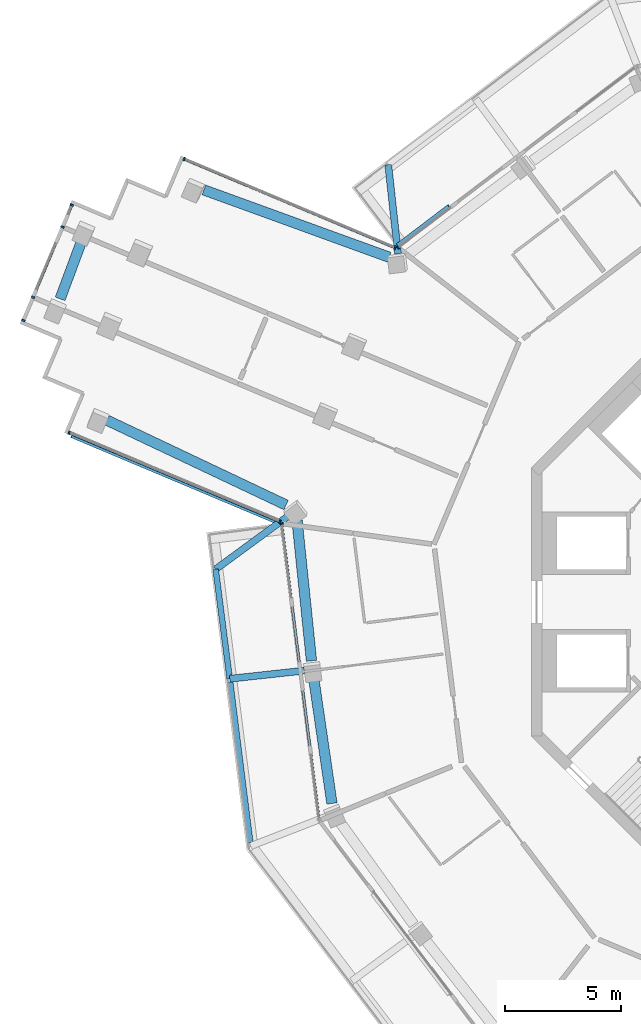
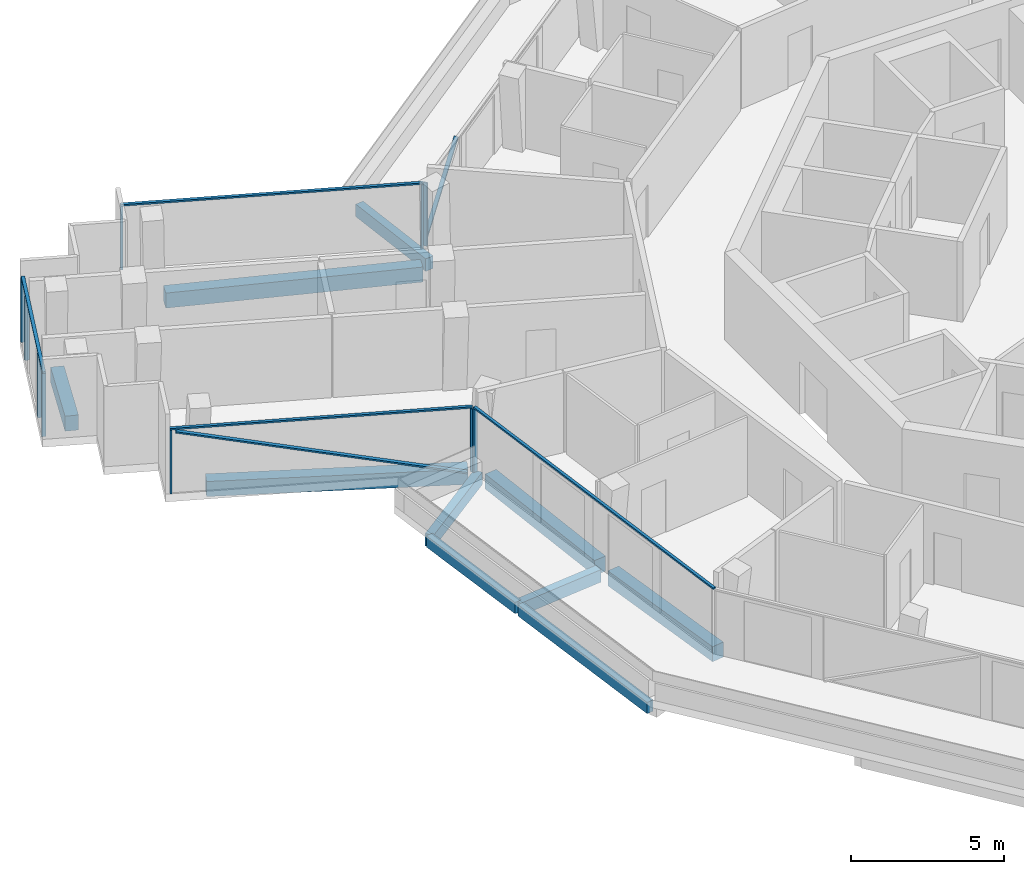
# One storey, part 5 of 26: 16 members, 10 beams, 5 elements without a shape of their own.
"""IFC4 building model written with IfcOpenShell, lengths in metres."""

from ifc_helpers import new_model, si_unit, direction, frame, origin, origin_2d, place, context, subcontext, project, spatial, rectangle, extrude, material, layer, layer_set, material_profile, profile_set, type_object, element, aggregate, save


model = new_model("IFC4")

# Units and contexts
model_context = context("Model", 3, precision=1e-05, world=origin(), true_north=direction((0.0, 1.0)))
body_context = subcontext(model_context, "Body", "Model", "MODEL_VIEW")
ifc_project = project(units=[si_unit("LENGTHUNIT", "METRE"), si_unit("AREAUNIT", "SQUARE_METRE"), si_unit("VOLUMEUNIT", "CUBIC_METRE"), si_unit("PLANEANGLEUNIT", "RADIAN"), si_unit("MASSUNIT", "GRAM", prefix="KILO")], contexts=[model_context])

# Site, building, storey
site_placement = place(None, origin())
site = spatial("IfcSite", under=ifc_project, at=site_placement, CompositionType="ELEMENT")
building_placement = place(site_placement, origin())
building = spatial("IfcBuilding", under=site, at=building_placement, Name="Verdalira Terraces Hotel", CompositionType="ELEMENT")
storey_placement = place(building_placement, frame((0.0, 0.0, 306.5)))
storey = spatial("IfcBuildingStorey", under=building, at=storey_placement, Name="L76", CompositionType="ELEMENT", Elevation=306.5)

# Beams
ifc_material_1 = material(Name="Concrete C40", Category="concrete")
ifc_material_profile_1 = material_profile(ifc_material_1, rectangle(XDim=0.300049, YDim=0.5, at=origin_2d()), Name="RC 300X500")
ifc_profile_set_1 = profile_set([ifc_material_profile_1], Name="Concrete C40")
beam_type_1 = type_object("IfcBeamType", Name="Balcony cantilever beam RC 300X500 C40", PredefinedType="BEAM", material=ifc_profile_set_1)
beam_1_placement = place(storey_placement, frame((-24.477295, 3.753906, -0.560059), z_axis=(-0.806530737, -0.59119216, 0.0), x_axis=(0.59119216, -0.806530737, 0.0)))
element("IfcBeam", 1, at=beam_1_placement, inside=storey, type_object=beam_type_1, Name="Balcony cantilever beam R11-3", PredefinedType="BEAM", context=body_context, shape_type="SweptSolid", body=[
    extrude(rectangle(XDim=0.300049, YDim=0.5, at=origin_2d()), origin(), (0.0, 0.0, 1.0), 3.949951),
])
beam_2_placement = place(storey_placement, frame((-23.82373, -2.968262, -0.560059), z_axis=(-0.994070043, -0.108741665, 0.0), x_axis=(0.108741665, -0.994070043, 0.0)))
element("IfcBeam", 2, at=beam_2_placement, inside=storey, type_object=beam_type_1, Name="Balcony cantilever beam R11-4", PredefinedType="BEAM", context=body_context, shape_type="SweptSolid", body=[
    extrude(rectangle(XDim=0.300049, YDim=0.5, at=origin_2d()), origin(), (0.0, 0.0, 1.0), 3.250977),
])
beam_3_placement = place(storey_placement, frame((-19.773193, 15.082275, -0.560059), z_axis=(-0.108700291, 0.994074568, 0.0), x_axis=(-0.994074568, -0.108700291, 0.0)))
element("IfcBeam", 3, at=beam_3_placement, inside=storey, type_object=beam_type_1, Name="Balcony cantilever beam R40-2", PredefinedType="BEAM", context=body_context, shape_type="SweptSolid", body=[
    extrude(rectangle(XDim=0.300049, YDim=0.5, at=origin_2d()), origin(), (0.0, 0.0, 1.0), 3.869873),
])
ifc_material_2 = material(Name="Concrete C40", Category="concrete")
ifc_material_profile_2 = material_profile(ifc_material_2, rectangle(XDim=0.25, YDim=0.449951, at=origin_2d()), Name="RC 250X450")
ifc_profile_set_2 = profile_set([ifc_material_profile_2], Name="Concrete C40")
beam_type_2 = type_object("IfcBeamType", Name="Balcony edge beam RC 250X450 C40", PredefinedType="BEAM", material=ifc_profile_set_2)
beam_4_placement = place(storey_placement, frame((-27.663086, 1.418701, -0.534912), z_axis=(0.127146275, -0.991883977, 0.0), x_axis=(0.991883977, 0.127146275, 0.0)))
element("IfcBeam", 4, at=beam_4_placement, inside=storey, type_object=beam_type_2, Name="Balcony edge beam R11-2", PredefinedType="BEAM", context=body_context, shape_type="SweptSolid", body=[
    extrude(rectangle(XDim=0.25, YDim=0.449951, at=origin_2d()), origin(), (0.0, 0.0, 1.0), 4.779297),
])
beam_5_placement = place(storey_placement, frame((-27.036621, -3.470459, -0.534912), z_axis=(0.124511731, -0.992218136, 0.0), x_axis=(0.992218136, 0.124511731, 0.0)))
element("IfcBeam", 5, at=beam_5_placement, inside=storey, type_object=beam_type_2, Name="Balcony edge beam R11-3", PredefinedType="BEAM", context=body_context, shape_type="SweptSolid", body=[
    extrude(rectangle(XDim=0.25, YDim=0.449951, at=origin_2d()), origin(), (0.0, 0.0, 1.0), 6.992188),
])

# Curtain wall, member
ifc_material_3 = material(Name="Clear glass", Category="glass")
ifc_layer_1 = layer(ifc_material_3, 0.14990234375)
ifc_layer_set_1 = layer_set([ifc_layer_1], Name="CW1 curtain wall")
curtain_wall_type_1 = type_object("IfcCurtainWallType", Name="CW1 curtain wall", PredefinedType="NOTDEFINED", material=ifc_layer_set_1)
curtain_wall_1_placement = place(storey_placement, origin())
curtain_wall_1 = element("IfcCurtainWall", 6, at=curtain_wall_1_placement, inside=storey, type_object=curtain_wall_type_1, Name="CW1 curtain wall L76 edge 11", PredefinedType="NOTDEFINED")
ifc_material_4 = material(Name="Terracotta frame", Category="masonry")
ifc_material_profile_3 = material_profile(ifc_material_4, rectangle(XDim=0.060059, YDim=0.149902, at=origin_2d()), Name="MU 60x150")
ifc_profile_set_3 = profile_set([ifc_material_profile_3], Name="Terracotta frame")
member_type_1 = type_object("IfcMemberType", Name="CW1 mullion 60x150", PredefinedType="MULLION", material=ifc_profile_set_3)
member_1_placement = place(storey_placement, frame((-24.803467, 3.387939, 0.0), z_axis=(0.0, 0.0, 1.0), x_axis=(0.125333234, -0.992114701, 0.0)))
member_1 = element("IfcMember", 7, at=member_1_placement, type_object=member_type_1, Name="CW1 mullion", PredefinedType="MULLION", context=body_context, shape_type="SweptSolid", body=[
    extrude(rectangle(XDim=0.060059, YDim=0.149902, at=origin_2d()), origin(), (0.0, 0.0, 1.0), 2.524902),
])

curtain_wall_2_placement = place(storey_placement, origin())
curtain_wall_2 = element("IfcCurtainWall", 8, at=curtain_wall_2_placement, inside=storey, type_object=curtain_wall_type_1, Name="CW1 curtain wall L76 edge 41", PredefinedType="NOTDEFINED")
member_2_placement = place(storey_placement, frame((-19.774658, 15.351074, 0.0), z_axis=(0.0, 0.0, 1.0), x_axis=(-0.796529918, -0.604599115, 0.0)))
member_2 = element("IfcMember", 9, at=member_2_placement, type_object=member_type_1, Name="CW1 mullion", PredefinedType="MULLION", context=body_context, shape_type="SweptSolid", body=[
    extrude(rectangle(XDim=0.060059, YDim=0.149902, at=origin_2d()), origin(), (0.0, 0.0, 1.0), 2.524902),
])

# Member
ifc_material_5 = material(Name="Terracotta frame", Category="masonry")
ifc_material_profile_4 = material_profile(ifc_material_5, rectangle(XDim=0.110107, YDim=0.064941, at=origin_2d()), Name="TR 65x110")
ifc_profile_set_4 = profile_set([ifc_material_profile_4], Name="Terracotta frame")
member_type_2 = type_object("IfcMemberType", Name="CW1 transom 65x110", PredefinedType="USERDEFINED", material=ifc_profile_set_4)
member_3_placement = place(storey_placement, frame((-24.807373, 3.417725, 2.557617), z_axis=(0.125330699, -0.992115022, 0.0), x_axis=(0.992115022, 0.125330699, 0.0)))
member_3 = element("IfcMember", 10, at=member_3_placement, type_object=member_type_2, Name="CW1 transom", ObjectType="TRANSOM", PredefinedType="USERDEFINED", context=body_context, shape_type="SweptSolid", body=[
    extrude(rectangle(XDim=0.110107, YDim=0.064941, at=origin_2d()), origin(), (0.0, 0.0, 1.0), 12.959961),
])

aggregate(curtain_wall_1, [member_1, member_3])

# Curtain wall, members
ifc_material_6 = material(Name="Clear glass", Category="glass")
ifc_layer_2 = layer(ifc_material_6, 0.14990234375)
ifc_layer_set_2 = layer_set([ifc_layer_2], Name="CW2 curtain wall")
curtain_wall_type_2 = type_object("IfcCurtainWallType", Name="CW2 curtain wall", PredefinedType="NOTDEFINED", material=ifc_layer_set_2)
curtain_wall_3_placement = place(storey_placement, origin())
curtain_wall_3 = element("IfcCurtainWall", 11, at=curtain_wall_3_placement, inside=storey, type_object=curtain_wall_type_2, Name="CW2 curtain wall L76 edge 0", PredefinedType="NOTDEFINED")
ifc_material_7 = material(Name="Terracotta frame", Category="masonry")
ifc_material_profile_5 = material_profile(ifc_material_7, rectangle(XDim=0.070068, YDim=0.149902, at=origin_2d()), Name="MU 70x150")
ifc_profile_set_5 = profile_set([ifc_material_profile_5], Name="Terracotta frame")
member_type_3 = type_object("IfcMemberType", Name="CW2 mullion 70x150", PredefinedType="MULLION", material=ifc_profile_set_5)
member_4_placement = place(storey_placement, frame((-19.905273, 15.336914, 0.0), z_axis=(0.0, 0.0, 1.0), x_axis=(-0.921863152, 0.387515586, 0.0)))
member_4 = element("IfcMember", 12, at=member_4_placement, type_object=member_type_3, Name="CW2 mullion", PredefinedType="MULLION", context=body_context, shape_type="SweptSolid", body=[
    extrude(rectangle(XDim=0.070068, YDim=0.149902, at=origin_2d()), origin(), (0.0, 0.0, 1.0), 2.524902),
])
member_5_placement = place(storey_placement, frame((-29.029541, 19.172363, 0.0), z_axis=(0.0, 0.0, 1.0), x_axis=(-0.921863152, 0.387515586, 0.0)))
member_5 = element("IfcMember", 13, at=member_5_placement, type_object=member_type_3, Name="CW2 mullion", PredefinedType="MULLION", context=body_context, shape_type="SweptSolid", body=[
    extrude(rectangle(XDim=0.070068, YDim=0.149902, at=origin_2d()), origin(), (0.0, 0.0, 1.0), 2.524902),
])

curtain_wall_4_placement = place(storey_placement, origin())
curtain_wall_4 = element("IfcCurtainWall", 14, at=curtain_wall_4_placement, inside=storey, type_object=curtain_wall_type_2, Name="CW2 curtain wall L76 edge 10", PredefinedType="NOTDEFINED")
member_6_placement = place(storey_placement, frame((-34.009033, 7.326416, 0.0), z_axis=(0.0, 0.0, 1.0), x_axis=(0.921863152, -0.387515586, 0.0)))
member_6 = element("IfcMember", 15, at=member_6_placement, type_object=member_type_3, Name="CW2 mullion", PredefinedType="MULLION", context=body_context, shape_type="SweptSolid", body=[
    extrude(rectangle(XDim=0.070068, YDim=0.149902, at=origin_2d()), origin(), (0.0, 0.0, 1.0), 2.524902),
])
member_7_placement = place(storey_placement, frame((-24.88501, 3.490967, 0.0), z_axis=(0.0, 0.0, 1.0), x_axis=(0.921863152, -0.387515586, 0.0)))
member_7 = element("IfcMember", 16, at=member_7_placement, type_object=member_type_3, Name="CW2 mullion", PredefinedType="MULLION", context=body_context, shape_type="SweptSolid", body=[
    extrude(rectangle(XDim=0.070068, YDim=0.149902, at=origin_2d()), origin(), (0.0, 0.0, 1.0), 2.524902),
])

# Member
ifc_material_8 = material(Name="Terracotta frame", Category="masonry")
ifc_material_profile_6 = material_profile(ifc_material_8, rectangle(XDim=0.11499, YDim=0.064941, at=origin_2d()), Name="TR 65x115")
ifc_profile_set_6 = profile_set([ifc_material_profile_6], Name="Terracotta frame")
member_type_4 = type_object("IfcMemberType", Name="CW2 transom 65x115", PredefinedType="USERDEFINED", material=ifc_profile_set_6)
member_8_placement = place(storey_placement, frame((-19.873047, 15.323486, 2.557617), z_axis=(-0.921864359, 0.387512714, 0.0), x_axis=(-0.387512714, -0.921864359, 0.0)))
member_8 = element("IfcMember", 17, at=member_8_placement, type_object=member_type_4, Name="CW2 transom", ObjectType="TRANSOM", PredefinedType="USERDEFINED", context=body_context, shape_type="SweptSolid", body=[
    extrude(rectangle(XDim=0.11499, YDim=0.064941, at=origin_2d()), origin(), (0.0, 0.0, 1.0), 9.967529),
])

aggregate(curtain_wall_3, [member_4, member_5, member_8])

member_9_placement = place(storey_placement, frame((-34.04126, 7.340088, 2.557617), z_axis=(0.921864359, -0.387512714, 0.0), x_axis=(0.387512714, 0.921864359, 0.0)))
member_9 = element("IfcMember", 18, at=member_9_placement, type_object=member_type_4, Name="CW2 transom", ObjectType="TRANSOM", PredefinedType="USERDEFINED", context=body_context, shape_type="SweptSolid", body=[
    extrude(rectangle(XDim=0.11499, YDim=0.064941, at=origin_2d()), origin(), (0.0, 0.0, 1.0), 9.967529),
])

# Curtain wall, members
ifc_material_9 = material(Name="Clear glass", Category="glass")
ifc_layer_3 = layer(ifc_material_9, 0.14990234375)
ifc_layer_set_3 = layer_set([ifc_layer_3], Name="CW3 curtain wall")
curtain_wall_type_3 = type_object("IfcCurtainWallType", Name="CW3 curtain wall", PredefinedType="NOTDEFINED", material=ifc_layer_set_3)
curtain_wall_5_placement = place(storey_placement, origin())
curtain_wall_5 = element("IfcCurtainWall", 19, at=curtain_wall_5_placement, inside=storey, type_object=curtain_wall_type_3, Name="CW3 curtain wall L76 edge 5", PredefinedType="NOTDEFINED")
ifc_material_10 = material(Name="Terracotta frame", Category="masonry")
ifc_material_profile_7 = material_profile(ifc_material_10, rectangle(XDim=0.080078, YDim=0.149902, at=origin_2d()), Name="MU 80x150")
ifc_profile_set_7 = profile_set([ifc_material_profile_7], Name="Terracotta frame")
member_type_5 = type_object("IfcMemberType", Name="CW3 mullion 80x150", PredefinedType="MULLION", material=ifc_profile_set_7)
member_10_placement = place(storey_placement, frame((-33.88916, 17.185303, 0.0), z_axis=(0.0, 0.0, 1.0), x_axis=(-0.387515586, -0.921863152, 0.0)))
member_10 = element("IfcMember", 20, at=member_10_placement, type_object=member_type_5, Name="CW3 mullion", PredefinedType="MULLION", context=body_context, shape_type="SweptSolid", body=[
    extrude(rectangle(XDim=0.080078, YDim=0.149902, at=origin_2d()), origin(), (0.0, 0.0, 1.0), 2.524902),
])
member_11_placement = place(storey_placement, frame((-34.290771, 16.230469, 0.0), z_axis=(0.0, 0.0, 1.0), x_axis=(-0.387515586, -0.921863152, 0.0)))
member_11 = element("IfcMember", 21, at=member_11_placement, type_object=member_type_5, Name="CW3 mullion", PredefinedType="MULLION", context=body_context, shape_type="SweptSolid", body=[
    extrude(rectangle(XDim=0.080078, YDim=0.149902, at=origin_2d()), origin(), (0.0, 0.0, 1.0), 2.524902),
])
member_12_placement = place(storey_placement, frame((-35.568604, 13.190186, 0.0), z_axis=(0.0, 0.0, 1.0), x_axis=(-0.387515586, -0.921863152, 0.0)))
member_12 = element("IfcMember", 22, at=member_12_placement, type_object=member_type_5, Name="CW3 mullion", PredefinedType="MULLION", context=body_context, shape_type="SweptSolid", body=[
    extrude(rectangle(XDim=0.080078, YDim=0.149902, at=origin_2d()), origin(), (0.0, 0.0, 1.0), 2.524902),
])
member_13_placement = place(storey_placement, frame((-35.989502, 12.188965, 0.0), z_axis=(0.0, 0.0, 1.0), x_axis=(-0.387515586, -0.921863152, 0.0)))
member_13 = element("IfcMember", 23, at=member_13_placement, type_object=member_type_5, Name="CW3 mullion", PredefinedType="MULLION", context=body_context, shape_type="SweptSolid", body=[
    extrude(rectangle(XDim=0.080078, YDim=0.149902, at=origin_2d()), origin(), (0.0, 0.0, 1.0), 2.524902),
])
ifc_material_11 = material(Name="Terracotta frame", Category="masonry")
ifc_material_profile_8 = material_profile(ifc_material_11, rectangle(XDim=0.120117, YDim=0.064941, at=origin_2d()), Name="TR 65x120")
ifc_profile_set_8 = profile_set([ifc_material_profile_8], Name="Terracotta frame")
member_type_6 = type_object("IfcMemberType", Name="CW3 transom 65x120", PredefinedType="USERDEFINED", material=ifc_profile_set_8)
member_14_placement = place(storey_placement, frame((-33.873779, 17.222412, 2.557617), z_axis=(-0.387513197, -0.921864156, 0.0), x_axis=(0.921864156, -0.387513197, 0.0)))
member_14 = element("IfcMember", 24, at=member_14_placement, type_object=member_type_6, Name="CW3 transom", ObjectType="TRANSOM", PredefinedType="USERDEFINED", context=body_context, shape_type="SweptSolid", body=[
    extrude(rectangle(XDim=0.120117, YDim=0.064941, at=origin_2d()), origin(), (0.0, 0.0, 1.0), 5.5),
])
aggregate(curtain_wall_5, [member_10, member_11, member_12, member_13, member_14])

# Member
ifc_material_12 = material(Name="Terracotta frame", Category="masonry")
ifc_material_profile_9 = material_profile(ifc_material_12, rectangle(XDim=0.149902, YDim=0.060059, at=origin_2d()), Name="GB 60x150")
ifc_profile_set_9 = profile_set([ifc_material_profile_9], Name="Terracotta frame")
member_type_7 = type_object("IfcMemberType", Name="Diagonal glazing bar 60x150", PredefinedType="USERDEFINED", material=ifc_profile_set_9)
member_15_placement = place(storey_placement, frame((-33.906006, 7.18457, 2.495361), z_axis=(0.892859823, -0.375336697, -0.248844731), x_axis=(0.387526981, 0.921858362, 0.0)))
member_15 = element("IfcMember", 25, at=member_15_placement, type_object=member_type_7, Name="Diagonal glazing bar", ObjectType="GLAZING BAR", PredefinedType="USERDEFINED", context=body_context, shape_type="SweptSolid", body=[
    extrude(rectangle(XDim=0.149902, YDim=0.060059, at=origin_2d()), origin(), (0.0, 0.0, 1.0), 9.90918),
])

aggregate(curtain_wall_4, [member_6, member_7, member_9, member_15])

member_16_placement = place(storey_placement, frame((-17.572754, 17.134277, 2.501221), z_axis=(-0.594199499, -0.451079774, -0.665923414), x_axis=(0.604648276, -0.796492601, 0.0)))
member_16 = element("IfcMember", 26, at=member_16_placement, type_object=member_type_7, Name="Diagonal glazing bar", ObjectType="GLAZING BAR", PredefinedType="USERDEFINED", context=body_context, shape_type="SweptSolid", body=[
    extrude(rectangle(XDim=0.149902, YDim=0.060059, at=origin_2d()), origin(), (0.0, 0.0, 1.0), 3.720459),
])

aggregate(curtain_wall_2, [member_2, member_16])

# Beams
ifc_material_13 = material(Name="Concrete C40", Category="concrete")
ifc_material_profile_10 = material_profile(ifc_material_13, rectangle(XDim=0.449951, YDim=0.600098, at=origin_2d()), Name="RC 450X600")
ifc_profile_set_10 = profile_set([ifc_material_profile_10], Name="Concrete C40")
beam_type_3 = type_object("IfcBeamType", Name="Spandrel beam RC 450X600 C40", PredefinedType="SPANDREL", material=ifc_profile_set_10)
beam_6_placement = place(storey_placement, frame((-20.154297, 14.922607, -0.610107), z_axis=(-0.93986775, 0.341538596, 0.0), x_axis=(-0.341538596, -0.93986775, 0.0)))
element("IfcBeam", 27, at=beam_6_placement, inside=storey, type_object=beam_type_3, Name="Spandrel beam B01", PredefinedType="SPANDREL", context=body_context, shape_type="SweptSolid", body=[
    extrude(rectangle(XDim=0.449951, YDim=0.600098, at=origin_2d()), origin(), (0.0, 0.0, 1.0), 8.532959),
])
beam_7_placement = place(storey_placement, frame((-33.404297, 15.786133, -0.610107), z_axis=(-0.348647776, -0.937253823, 0.0), x_axis=(0.937253823, -0.348647776, 0.0)))
element("IfcBeam", 28, at=beam_7_placement, inside=storey, type_object=beam_type_3, Name="Spandrel beam B02", PredefinedType="SPANDREL", context=body_context, shape_type="SweptSolid", body=[
    extrude(rectangle(XDim=0.449951, YDim=0.600098, at=origin_2d()), origin(), (0.0, 0.0, 1.0), 2.84375),
])
beam_8_placement = place(storey_placement, frame((-32.368652, 7.869385, -0.610107), z_axis=(0.903760444, -0.428038619, 0.0), x_axis=(0.428038619, 0.903760444, 0.0)))
element("IfcBeam", 29, at=beam_8_placement, inside=storey, type_object=beam_type_3, Name="Spandrel beam B03", PredefinedType="SPANDREL", context=body_context, shape_type="SweptSolid", body=[
    extrude(rectangle(XDim=0.449951, YDim=0.600098, at=origin_2d()), origin(), (0.0, 0.0, 1.0), 8.576172),
])
beam_9_placement = place(storey_placement, frame((-24.139893, 3.519287, -0.610107), z_axis=(0.102341781, -0.994749295, 0.0), x_axis=(0.994749295, 0.102341781, 0.0)))
element("IfcBeam", 30, at=beam_9_placement, inside=storey, type_object=beam_type_3, Name="Spandrel beam B04", PredefinedType="SPANDREL", context=body_context, shape_type="SweptSolid", body=[
    extrude(rectangle(XDim=0.449951, YDim=0.600098, at=origin_2d()), origin(), (0.0, 0.0, 1.0), 6.097412),
])
beam_10_placement = place(storey_placement, frame((-23.42749, -3.255127, -0.610107), z_axis=(0.144460236, -0.989510606, 0.0), x_axis=(0.989510606, 0.144460236, 0.0)))
element("IfcBeam", 31, at=beam_10_placement, inside=storey, type_object=beam_type_3, Name="Spandrel beam B05", PredefinedType="SPANDREL", context=body_context, shape_type="SweptSolid", body=[
    extrude(rectangle(XDim=0.449951, YDim=0.600098, at=origin_2d()), origin(), (0.0, 0.0, 1.0), 5.52124),
])

save(model, "model.ifc")
